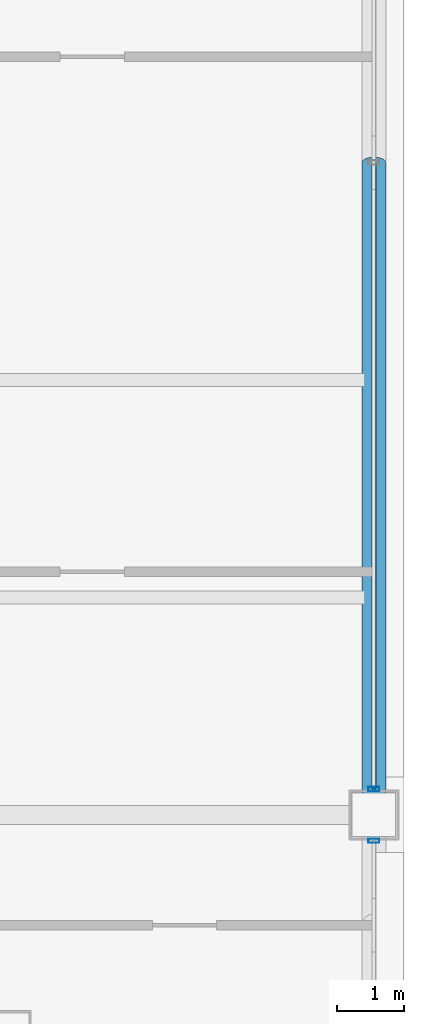
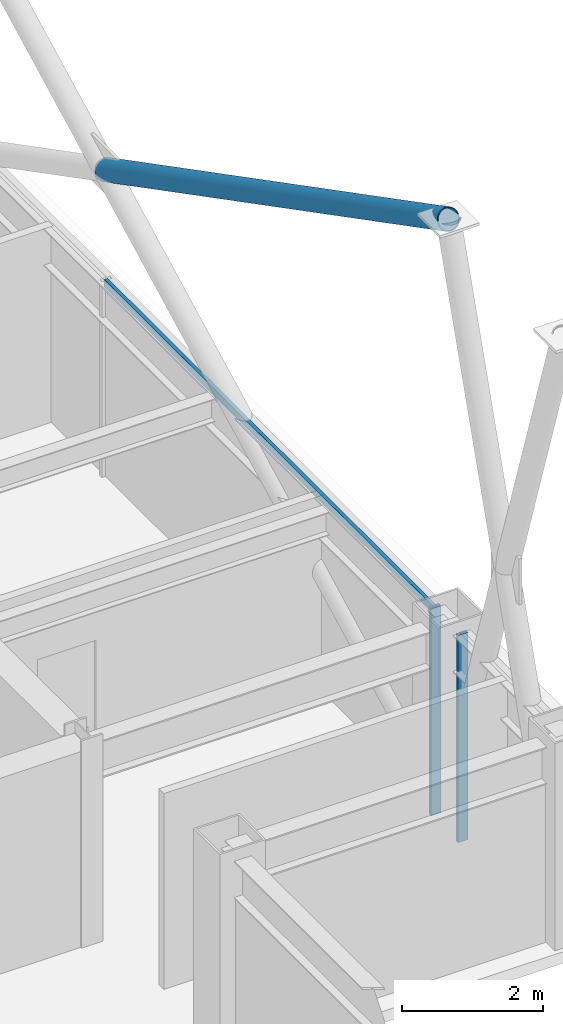
# One storey, part 14 of 30: 4 members, 2 elements without a shape of their own.
"""IFC4 building model written with IfcOpenShell, lengths in metres."""

from ifc_helpers import new_model, si_unit, direction, frame, origin, origin_2d, place, context, subcontext, project, spatial, hollow_rectangle, hollow_circle, extrude, material, layer, layer_set, material_profile, profile_set, type_object, element, aggregate, save


model = new_model("IFC4")

# Units and contexts
model_context = context("Model", 3, precision=1e-05, world=origin(), true_north=direction((0.0, 1.0)))
body_context = subcontext(model_context, "Body", "Model", "MODEL_VIEW")
ifc_project = project(units=[si_unit("LENGTHUNIT", "METRE"), si_unit("AREAUNIT", "SQUARE_METRE"), si_unit("VOLUMEUNIT", "CUBIC_METRE"), si_unit("PLANEANGLEUNIT", "RADIAN"), si_unit("MASSUNIT", "GRAM", prefix="KILO")], contexts=[model_context])

# Site, building, storey
site_placement = place(None, origin())
site = spatial("IfcSite", under=ifc_project, at=site_placement, CompositionType="ELEMENT")
building_placement = place(site_placement, origin())
building = spatial("IfcBuilding", under=site, at=building_placement, Name="Brelmoor Portico Tower", CompositionType="ELEMENT")
storey_placement = place(building_placement, frame((0.0, 0.0, 173.10009765625)))
storey = spatial("IfcBuildingStorey", under=building, at=storey_placement, Name="L45", CompositionType="ELEMENT", Elevation=173.10009765625)

# Member
ifc_material_1 = material(Name="Steel Q355B", Category="steel")
ifc_material_profile_1 = material_profile(ifc_material_1, hollow_circle(Radius=0.177978515625, WallThickness=0.01611328125, at=origin_2d()), Name="CHS 356x16")
ifc_profile_set_1 = profile_set([ifc_material_profile_1], Name="Steel Q355B")
member_type_1 = type_object("IfcMemberType", Name="MB-BELT-DIAG2", PredefinedType="BRACE", material=ifc_profile_set_1)
member_1_placement = place(storey_placement, frame((20.550048828125, 0.0, 5.2998046875), z_axis=(0.0, -0.887959386012, 0.459921872488), x_axis=(1.0, 0.0, 0.0)))
element("IfcMember", 1, at=member_1_placement, inside=storey, type_object=member_type_1, Name="L45 Split Mega-X Brace 103B2", PredefinedType="BRACE", context=body_context, shape_type="SweptSolid", body=[
    extrude(hollow_circle(Radius=0.177978515625, WallThickness=0.01611328125, at=origin_2d()), origin(), (0.0, 0.0, 1.0), 10.980224609375),
])

# Curtain wall, member
ifc_material_2 = material(Name="Anodised Aluminium Alloy 6063-T6", Category="aluminium")
ifc_layer = layer(ifc_material_2, 0.179931640625)
ifc_layer_set = layer_set([ifc_layer], Name="Anodised Aluminium Alloy 6063-T6")
curtain_wall_type = type_object("IfcCurtainWallType", Name="CW-TOWER-Z3-XB", PredefinedType="NOTDEFINED", material=ifc_layer_set)
curtain_wall_1_placement = place(storey_placement, origin())
curtain_wall_1 = element("IfcCurtainWall", 2, at=curtain_wall_1_placement, inside=storey, type_object=curtain_wall_type, Name="L45 Curtain Wall CW-L45-04-1", PredefinedType="NOTDEFINED")
ifc_material_profile_2 = material_profile(ifc_material_2, hollow_rectangle(XDim=0.06494140625, YDim=0.1650390625, WallThickness=0.00390625, at=origin_2d()), Name="ALU MULLION 65x165")
ifc_profile_set_2 = profile_set([ifc_material_profile_2], Name="Anodised Aluminium Alloy 6063-T6")
member_type_2 = type_object("IfcMemberType", Name="MB-CW-MULL-165", PredefinedType="MULLION", material=ifc_profile_set_2)
member_2_placement = place(storey_placement, frame((20.550048828125, -10.135009765625, -0.2001953125), z_axis=(0.0, 0.0, 1.0), x_axis=(0.0, 1.0, 0.0)))
member_2 = element("IfcMember", 3, at=member_2_placement, type_object=member_type_2, Name="CW-L45-04-1 Mullion 01", PredefinedType="MULLION", context=body_context, shape_type="SweptSolid", body=[
    extrude(hollow_rectangle(XDim=0.06494140625, YDim=0.1650390625, WallThickness=0.00390625, at=origin_2d()), origin(), (0.0, 0.0, 1.0), 3.60009765625),
])
aggregate(curtain_wall_1, [member_2])

# Curtain wall, members
curtain_wall_2_placement = place(storey_placement, origin())
curtain_wall_2 = element("IfcCurtainWall", 4, at=curtain_wall_2_placement, inside=storey, type_object=curtain_wall_type, Name="L45 Curtain Wall CW-L45-04-2", PredefinedType="NOTDEFINED")
member_3_placement = place(storey_placement, frame((20.550048828125, -9.364990234375, -0.2001953125), z_axis=(0.0, 0.0, 1.0), x_axis=(0.0, 1.0, 0.0)))
member_3 = element("IfcMember", 5, at=member_3_placement, type_object=member_type_2, Name="CW-L45-04-2 Mullion 00", PredefinedType="MULLION", context=body_context, shape_type="SweptSolid", body=[
    extrude(hollow_rectangle(XDim=0.06494140625, YDim=0.1650390625, WallThickness=0.00390625, at=origin_2d()), origin(), (0.0, 0.0, 1.0), 3.60009765625),
])
ifc_material_profile_3 = material_profile(ifc_material_2, hollow_rectangle(XDim=0.06005859375, YDim=0.125, WallThickness=0.00341796875, at=origin_2d()), Name="ALU TRANSOM 60x125")
ifc_profile_set_3 = profile_set([ifc_material_profile_3], Name="Anodised Aluminium Alloy 6063-T6")
member_type_3 = type_object("IfcMemberType", Name="MB-CW-TRAN-125", PredefinedType="USERDEFINED", material=ifc_profile_set_3)
member_4_placement = place(storey_placement, frame((20.550048828125, -9.364990234375, 3.33740234375), z_axis=(0.0, 1.0, 0.0), x_axis=(-1.0, 0.0, 0.0)))
member_4 = element("IfcMember", 6, at=member_4_placement, type_object=member_type_3, Name="CW-L45-04-2 Transom 1-00", ObjectType="TRANSOM", PredefinedType="USERDEFINED", context=body_context, shape_type="SweptSolid", body=[
    extrude(hollow_rectangle(XDim=0.06005859375, YDim=0.125, WallThickness=0.00341796875, at=origin_2d()), origin(), (0.0, 0.0, 1.0), 9.364990234375),
])
aggregate(curtain_wall_2, [member_3, member_4])

save(model, "model.ifc")
